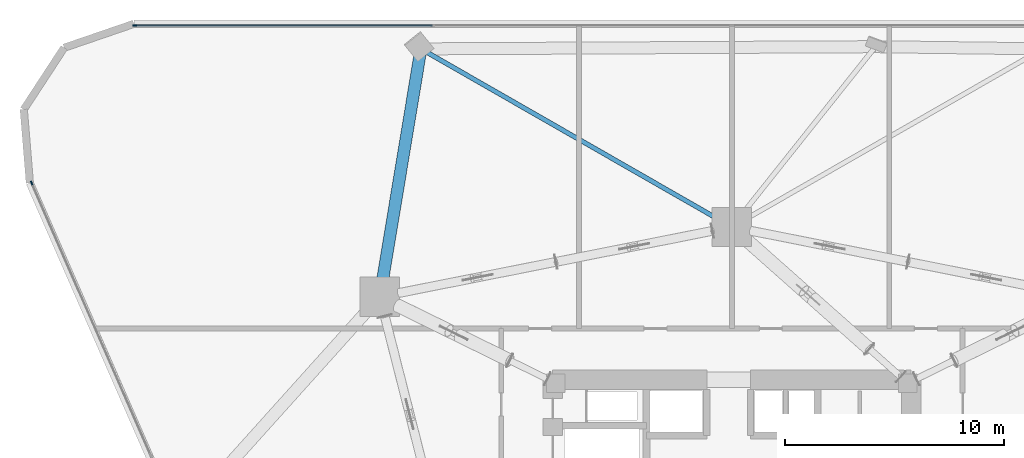
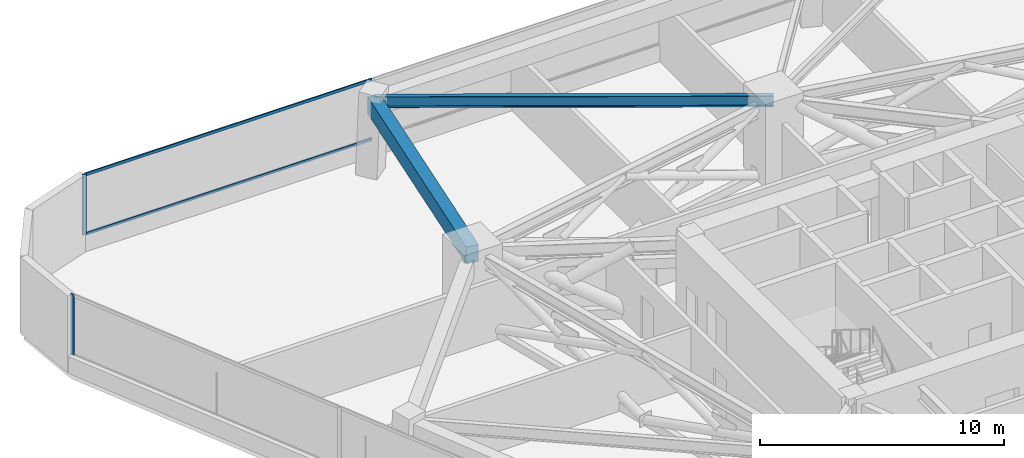
# One storey, part 12 of 20: 4 members, 2 beams, 2 elements without a shape of their own.
"""IFC4 building model written with IfcOpenShell, lengths in metres."""

import ifcopenshell
import ifcopenshell.guid

model = None  # the IFC model being written
_history = None  # IfcOwnerHistory: only IFC2X3 demands one
_inside = {}  # id of a spatial element -> (the spatial element, [elements in it])
_under = {}  # id of a project, library or spatial element -> (it, [spatial elements below it])
_declared = {}  # id of a project -> (the project, [libraries it declares])
_typed = {}  # id of a type object -> (the type object, [elements of that type])
_made_of = {}  # id of a material, layer set ... -> (it, [elements and type objects made of it])


def new_model(schema):
    """Start an empty IFC model of exactly this schema.

    Asked for "IFC4X3", IfcOpenShell would pick the latest addendum, in which some entities
    have other attributes; the version numbers below select the first issue.
    IFC2X3 requires an IfcOwnerHistory on every rooted entity: one is made here for all.
    """
    global model, _history
    if schema == "IFC4X3":
        model = ifcopenshell.file(schema_version=(4, 3, 0, 0))
    else:
        model = ifcopenshell.file(schema=schema)
    _inside.clear()
    _under.clear()
    _declared.clear()
    _typed.clear()
    _made_of.clear()
    _history = None
    if model.schema == "IFC2X3":
        org = make("IfcOrganization", Name="unknown")
        user = make(
            "IfcPersonAndOrganization",
            ThePerson=make("IfcPerson", FamilyName="unknown"),
            TheOrganization=org,
        )
        app = make(
            "IfcApplication",
            ApplicationDeveloper=org,
            Version="unknown",
            ApplicationFullName="unknown",
            ApplicationIdentifier="unknown",
        )
        _history = make(
            "IfcOwnerHistory",
            OwningUser=user,
            OwningApplication=app,
            ChangeAction="ADDED",
            CreationDate=0,
        )
    return model


def make(cls, **values):
    """One entity of the class cls with the attributes given. An attribute that is None is left unset."""
    return model.create_entity(
        cls, **{name: value for name, value in values.items() if value is not None}
    )


def rooted(cls, **values):
    """An entity with a GlobalId (a new one), such as an element, a storey or a relation."""
    return make(cls, GlobalId=ifcopenshell.guid.new(), OwnerHistory=_history, **values)


def si_unit(unit_type, name, prefix=None):
    """IfcSIUnit, for example si_unit("LENGTHUNIT", "METRE", prefix="MILLI")."""
    return make("IfcSIUnit", UnitType=unit_type, Prefix=prefix, Name=name)


def assignment(units):
    """IfcUnitAssignment: the units of a project."""
    return None if units is None else make("IfcUnitAssignment", Units=units)


def point(xyz):
    """IfcCartesianPoint."""
    return None if xyz is None else make("IfcCartesianPoint", Coordinates=xyz)


def direction(xyz):
    """IfcDirection."""
    return None if xyz is None else make("IfcDirection", DirectionRatios=xyz)


def frame(location, z_axis=None, x_axis=None):
    """IfcAxis2Placement3D, a coordinate frame: its origin and axes. An axis left out is left unset."""
    return make(
        "IfcAxis2Placement3D",
        Location=point(location),
        Axis=direction(z_axis),
        RefDirection=direction(x_axis),
    )


def frame_2d(location, x_axis=None):
    """IfcAxis2Placement2D, a coordinate frame in the plane: its origin and x axis."""
    return make(
        "IfcAxis2Placement2D", Location=point(location), RefDirection=direction(x_axis)
    )


def origin():
    """The frame at (0, 0, 0) with its axes left unset."""
    return frame((0.0, 0.0, 0.0))


def origin_2d():
    """The frame at (0, 0) in the plane with its x axis left unset."""
    return frame_2d((0.0, 0.0))


def place(relative_to, where):
    """IfcLocalPlacement: puts the frame where relative to a parent placement (None: the world)."""
    return make(
        "IfcLocalPlacement", PlacementRelTo=relative_to, RelativePlacement=where
    )


def context(
    kind, dimensions, precision=None, world=None, true_north=None, identifier=None
):
    """IfcGeometricRepresentationContext, for example the 3D "Model" context."""
    return make(
        "IfcGeometricRepresentationContext",
        ContextIdentifier=identifier,
        ContextType=kind,
        CoordinateSpaceDimension=dimensions,
        Precision=precision,
        WorldCoordinateSystem=world,
        TrueNorth=true_north,
    )


def subcontext(parent, identifier, kind, view, scale=None):
    """IfcGeometricRepresentationSubContext, for example "Body" below "Model"."""
    return make(
        "IfcGeometricRepresentationSubContext",
        ContextIdentifier=identifier,
        ContextType=kind,
        ParentContext=parent,
        TargetScale=scale,
        TargetView=view,
    )


def project(units=None, contexts=None):
    """IfcProject with its units and contexts."""
    return rooted(
        "IfcProject",
        Name="project",
        RepresentationContexts=contexts,
        UnitsInContext=assignment(units),
    )


def spatial(cls, under=None, at=None, **own):
    """A site, building, storey or space (cls), placed at a placement, below another one or the project."""
    s = rooted(cls, ObjectPlacement=at, **own)
    if under is not None:
        _under.setdefault(under.id(), (under, []))[1].append(s)
    return s


def profile(cls, at=None, kind="AREA", **sizes):
    """A parametric profile (cls). Its sizes go by their IFC names, for example OverallWidth=200.0."""
    return make(cls, ProfileType=kind, Position=at, **sizes)


def rectangle(**sizes):
    """IfcRectangleProfileDef."""
    return profile("IfcRectangleProfileDef", **sizes)


def i_section(**sizes):
    """IfcIShapeProfileDef."""
    return profile("IfcIShapeProfileDef", **sizes)


def extrude(swept, where, along, depth):
    """IfcExtrudedAreaSolid: the profile swept, set in the frame where, extruded along a direction by depth."""
    return make(
        "IfcExtrudedAreaSolid",
        SweptArea=swept,
        Position=where,
        ExtrudedDirection=direction(along),
        Depth=depth,
    )


def shape(context_of_items, identifier, shape_type, items):
    """IfcShapeRepresentation: the items that make up one representation, for example the "Body"."""
    return make(
        "IfcShapeRepresentation",
        ContextOfItems=context_of_items,
        RepresentationIdentifier=identifier,
        RepresentationType=shape_type,
        Items=items,
    )


def material(Name=None, Category=None):
    """IfcMaterial."""
    return make("IfcMaterial", Name=Name, Category=Category)


def layer(
    of_material, thickness, ventilated=None, Name=None, Category=None, Priority=None
):
    """IfcMaterialLayer: one layer of a wall or slab, of a material (None: an air gap)."""
    return make(
        "IfcMaterialLayer",
        Material=of_material,
        LayerThickness=thickness,
        IsVentilated=ventilated,
        Name=Name,
        Category=Category,
        Priority=Priority,
    )


def layer_set(layers, Name=None):
    """IfcMaterialLayerSet."""
    return make("IfcMaterialLayerSet", MaterialLayers=layers, LayerSetName=Name)


def material_profile(
    of_material, cross_section, Name=None, Category=None, Priority=None
):
    """IfcMaterialProfile: a cross section and its material."""
    return make(
        "IfcMaterialProfile",
        Name=Name,
        Material=of_material,
        Profile=cross_section,
        Priority=Priority,
        Category=Category,
    )


def profile_set(profiles, Name=None, composite=None):
    """IfcMaterialProfileSet."""
    return make(
        "IfcMaterialProfileSet",
        Name=Name,
        MaterialProfiles=profiles,
        CompositeProfile=composite,
    )


def made_of(thing, what):
    """Note that an element or type object is made of a material, layer set ...; save() writes the relation."""
    if what is not None:
        _made_of.setdefault(what.id(), (what, []))[1].append(thing)
    return thing


def type_object(cls, material=None, **own):
    """A type object (cls), such as IfcWallType, which elements share."""
    return made_of(rooted(cls, **own), material)


def element(
    cls,
    number,
    at=None,
    inside=None,
    cuts=None,
    type_object=None,
    material=None,
    context=None,
    identifier="Body",
    shape_type=None,
    held_by="IfcProductDefinitionShape",
    body=None,
    shapes=None,
    **own,
):
    """One element of the class cls, such as IfcWall. Its Tag is "e" and its number.

    at: its placement. inside: the storey or other place that contains it. cuts: it is an
    opening in that element (IfcRelVoidsElement). A single representation is given by context,
    identifier, shape_type and body (its items); several are given by shapes. held_by: the class
    of the entity that holds the representations. save() writes the other relations.
    """
    e = rooted(cls, Tag="e%d" % number, ObjectPlacement=at, **own)
    if body is not None:
        shapes = [shape(context, identifier, shape_type, body)]
    if shapes is not None:
        e.Representation = make(held_by, Representations=shapes)
    if inside is not None:
        _inside.setdefault(inside.id(), (inside, []))[1].append(e)
    if cuts is not None:
        rooted(
            "IfcRelVoidsElement", RelatingBuildingElement=cuts, RelatedOpeningElement=e
        )
    if type_object is not None:
        _typed.setdefault(type_object.id(), (type_object, []))[1].append(e)
    return made_of(e, material)


def aggregate(whole, parts):
    """IfcRelAggregates: a whole, such as a stair, and the parts it consists of."""
    return rooted("IfcRelAggregates", RelatingObject=whole, RelatedObjects=parts)


def save(model, path):
    """Write the relations noted so far, then the file.

    IfcRelAggregates (storeys below a building ...), IfcRelContainedInSpatialStructure (elements
    in a storey), IfcRelDefinesByType, IfcRelAssociatesMaterial and IfcRelDeclares: one each for
    every whole, place, type object, material and project.
    """
    for whole, parts in _under.values():
        aggregate(whole, parts)
    for where, things in _inside.values():
        rooted(
            "IfcRelContainedInSpatialStructure",
            RelatedElements=things,
            RelatingStructure=where,
        )
    for kind, things in _typed.values():
        rooted("IfcRelDefinesByType", RelatedObjects=things, RelatingType=kind)
    for what, things in _made_of.values():
        rooted("IfcRelAssociatesMaterial", RelatedObjects=things, RelatingMaterial=what)
    for by, libraries in _declared.values():
        rooted("IfcRelDeclares", RelatingContext=by, RelatedDefinitions=libraries)
    model.write(path)


model = new_model("IFC4")

# Units and contexts
model_context = context("Model", 3, precision=1e-05, world=origin(), true_north=direction((0.0, 1.0)))
body_context = subcontext(model_context, "Body", "Model", "MODEL_VIEW")
ifc_project = project(units=[si_unit("LENGTHUNIT", "METRE"), si_unit("AREAUNIT", "SQUARE_METRE"), si_unit("VOLUMEUNIT", "CUBIC_METRE"), si_unit("PLANEANGLEUNIT", "RADIAN"), si_unit("MASSUNIT", "GRAM", prefix="KILO")], contexts=[model_context])

# Site, building, storey
site_placement = place(None, origin())
site = spatial("IfcSite", under=ifc_project, at=site_placement, CompositionType="ELEMENT")
building_placement = place(site_placement, origin())
building = spatial("IfcBuilding", under=site, at=building_placement, Name="Talyreon Biosciences Tower", CompositionType="ELEMENT")
storey_placement = place(building_placement, frame((0.0, 0.0, 66.60009765625)))
storey = spatial("IfcBuildingStorey", under=building, at=storey_placement, Name="L17", CompositionType="ELEMENT", Elevation=66.60009765625)

# Curtain wall, member
ifc_material_1 = material(Name="Thermally broken aluminium and low-E glazing", Category="aluminium")
ifc_layer = layer(ifc_material_1, 0.195068359375)
ifc_layer_set = layer_set([ifc_layer], Name="Thermally broken aluminium and low-E glazing")
curtain_wall_type = type_object("IfcCurtainWallType", Name="CurtainWall_Zone1WetLab", PredefinedType="NOTDEFINED", material=ifc_layer_set)
curtain_wall_1_placement = place(storey_placement, origin())
curtain_wall_1 = element("IfcCurtainWall", 1, at=curtain_wall_1_placement, inside=storey, type_object=curtain_wall_type, Name="L17 Unitised Curtain Wall FCW-L17-00", PredefinedType="NOTDEFINED")
ifc_material_2 = material(Name="Anodised thermally broken aluminium", Category="aluminium")
ifc_material_profile_1 = material_profile(ifc_material_2, rectangle(XDim=0.06494140625, YDim=0.179931640625, at=origin_2d()), Name="ALUM MULLION 65x180")
ifc_profile_set_1 = profile_set([ifc_material_profile_1], Name="Anodised thermally broken aluminium")
member_type_1 = type_object("IfcMemberType", Name="CWMullion_65x180", PredefinedType="MULLION", material=ifc_profile_set_1)
member_1_placement = place(storey_placement, frame((33.972412109375, 83.804931640625, 0.809814453125), z_axis=(0.0, 0.0, 1.0), x_axis=(-0.916151953082, -0.400831135099, 0.0)))
member_1 = element("IfcMember", 2, at=member_1_placement, type_object=member_type_1, Name="CW2 mullion 6", PredefinedType="MULLION", context=body_context, shape_type="SweptSolid", body=[
    extrude(rectangle(XDim=0.06494140625, YDim=0.179931640625, at=origin_2d()), origin(), (0.0, 0.0, 1.0), 3.0400390625),
])
aggregate(curtain_wall_1, [member_1])

# Curtain wall, members
curtain_wall_2_placement = place(storey_placement, origin())
curtain_wall_2 = element("IfcCurtainWall", 3, at=curtain_wall_2_placement, inside=storey, type_object=curtain_wall_type, Name="L17 Unitised Curtain Wall FCW-L17-04", PredefinedType="NOTDEFINED")
member_2_placement = place(storey_placement, frame((38.6826171875, 91.007080078125, 0.809814453125), z_axis=(0.0, 0.0, 1.0), x_axis=(0.0, 1.0, 0.0)))
member_2 = element("IfcMember", 4, at=member_2_placement, type_object=member_type_1, Name="CW2 mullion 1", PredefinedType="MULLION", context=body_context, shape_type="SweptSolid", body=[
    extrude(rectangle(XDim=0.06494140625, YDim=0.179931640625, at=origin_2d()), origin(), (0.0, 0.0, 1.0), 3.0400390625),
])
ifc_material_profile_2 = material_profile(ifc_material_2, rectangle(XDim=0.06494140625, YDim=0.139892578125, at=origin_2d()), Name="ALUM TRANSOM 65x140")
ifc_profile_set_2 = profile_set([ifc_material_profile_2], Name="Anodised thermally broken aluminium")
member_type_2 = type_object("IfcMemberType", Name="CWTransom_65x140", PredefinedType="USERDEFINED", material=ifc_profile_set_2)
member_3_placement = place(storey_placement, frame((38.715087890625, 91.007080078125, 0.84228515625), z_axis=(1.0, 0.0, 0.0), x_axis=(0.0, 1.0, 0.0)))
member_3 = element("IfcMember", 5, at=member_3_placement, type_object=member_type_2, Name="CW2 transom 1.1", ObjectType="TRANSOM", PredefinedType="USERDEFINED", context=body_context, shape_type="SweptSolid", body=[
    extrude(rectangle(XDim=0.06494140625, YDim=0.139892578125, at=origin_2d()), origin(), (0.0, 0.0, 1.0), 13.577392578125),
])
member_4_placement = place(storey_placement, frame((38.715087890625, 91.007080078125, 3.8173828125), z_axis=(1.0, 0.0, 0.0), x_axis=(0.0, 1.0, 0.0)))
member_4 = element("IfcMember", 6, at=member_4_placement, type_object=member_type_2, Name="CW2 transom 1.2", ObjectType="TRANSOM", PredefinedType="USERDEFINED", context=body_context, shape_type="SweptSolid", body=[
    extrude(rectangle(XDim=0.06494140625, YDim=0.139892578125, at=origin_2d()), origin(), (0.0, 0.0, 1.0), 13.577392578125),
])
aggregate(curtain_wall_2, [member_2, member_3, member_4])

# Beams
ifc_material_3 = material(Name="Precast concrete C45/55", Category="concrete")
ifc_material_profile_3 = material_profile(ifc_material_3, rectangle(XDim=0.550048828125, YDim=0.85009765625, at=origin_2d()), Name="RCB 550x850")
ifc_profile_set_3 = profile_set([ifc_material_profile_3], Name="Precast concrete C45/55")
beam_type_1 = type_object("IfcBeamType", Name="ExpressedSpandrel_550x850", PredefinedType="SPANDREL", material=ifc_profile_set_3)
beam_1_placement = place(storey_placement, frame((51.778076171875, 89.93701171875, 3.4248046875), z_axis=(-0.163606661322, -0.986525651147, 0.0), x_axis=(0.986525651147, -0.163606661322, 0.0)))
element("IfcBeam", 7, at=beam_1_placement, inside=storey, type_object=beam_type_1, Name="L17 Expressed Horizontal Concrete Spandrel 08", PredefinedType="SPANDREL", context=body_context, shape_type="SweptSolid", body=[
    extrude(rectangle(XDim=0.550048828125, YDim=0.85009765625, at=origin_2d()), origin(), (0.0, 0.0, 1.0), 11.4931640625),
])
ifc_material_4 = material(Name="Steel SM355", Category="steel")
ifc_material_profile_4 = material_profile(ifc_material_4, i_section(OverallWidth=0.2099609375, OverallDepth=0.550048828125, WebThickness=0.010986328125, FlangeThickness=0.01708984375, FilletRadius=0.02392578125, at=origin_2d()), Name="IPE550")
ifc_profile_set_4 = profile_set([ifc_material_profile_4], Name="Steel SM355")
beam_type_2 = type_object("IfcBeamType", Name="SteelJoist_IPE550", PredefinedType="JOIST", material=ifc_profile_set_4)
beam_2_placement = place(storey_placement, frame((66.0, 81.788818359375, 3.574951171875), z_axis=(-0.867680698624, 0.497121921902, 0.0), x_axis=(-0.497121921902, -0.867680698624, 0.0)))
element("IfcBeam", 8, at=beam_2_placement, inside=storey, type_object=beam_type_2, Name="L17 Radial Composite Floor Joist PC-N2", PredefinedType="JOIST", context=body_context, shape_type="SweptSolid", body=[
    extrude(i_section(OverallWidth=0.2099609375, OverallDepth=0.550048828125, WebThickness=0.010986328125, FlangeThickness=0.01708984375, FilletRadius=0.02392578125, at=origin_2d()), origin(), (0.0, 0.0, 1.0), 16.390625),
])

save(model, "model.ifc")
